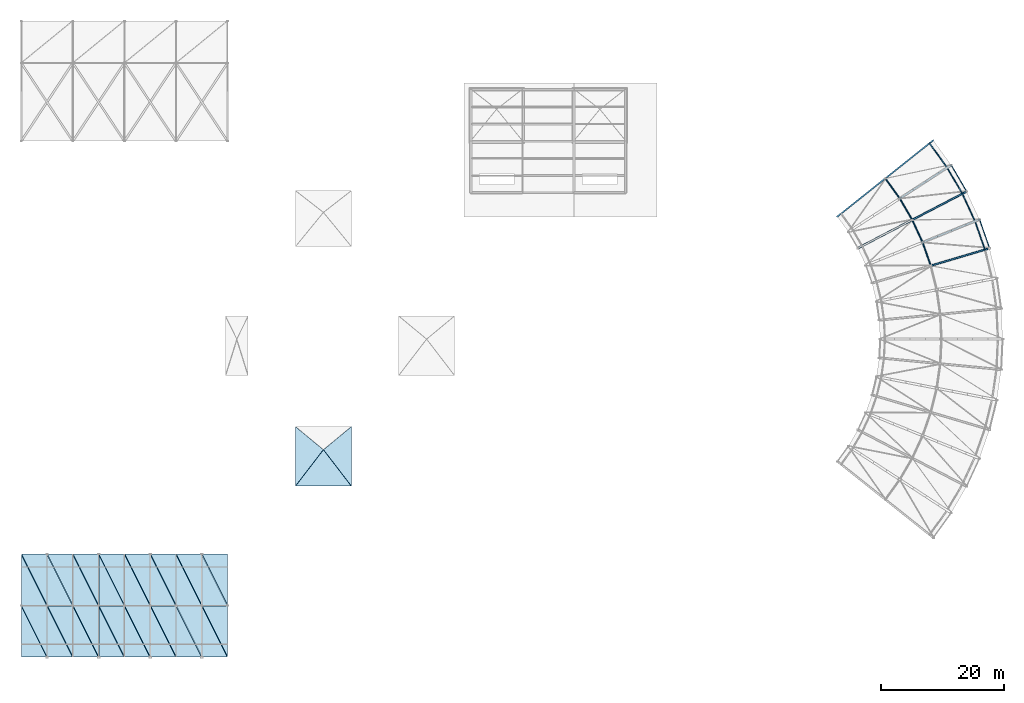
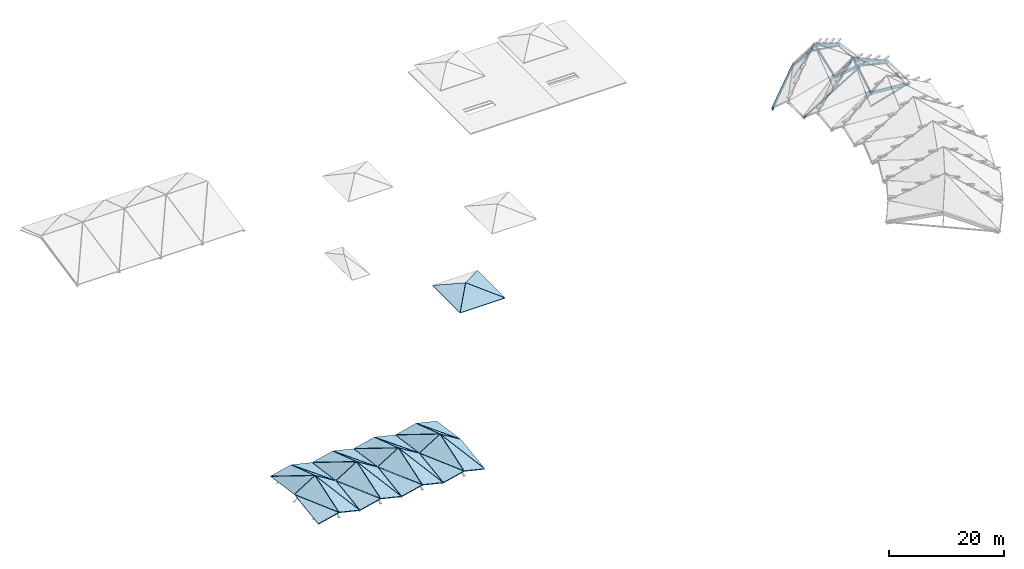
# One storey, part 4 of 10: 35 slabs, 17 members, 6 beams.
"""IFC4 building model written with IfcOpenShell, lengths in metres."""

from ifc_helpers import new_model, si_unit, direction, frame, origin, origin_2d, place, context, subcontext, project, spatial, polyline, hollow_circle, i_section, outline, extrude, material, layer, layer_set, material_profile, profile_set, type_object, element, save


model = new_model("IFC4")

# Units and contexts
model_context = context("Model", 3, precision=1e-05, world=origin(), true_north=direction((0.0, 1.0)))
body_context = subcontext(model_context, "Body", "Model", "MODEL_VIEW")
ifc_project = project(units=[si_unit("LENGTHUNIT", "METRE"), si_unit("AREAUNIT", "SQUARE_METRE"), si_unit("VOLUMEUNIT", "CUBIC_METRE"), si_unit("PLANEANGLEUNIT", "RADIAN"), si_unit("MASSUNIT", "GRAM", prefix="KILO")], contexts=[model_context])

# Site, building, storey
site_placement = place(None, origin())
site = spatial("IfcSite", under=ifc_project, at=site_placement, CompositionType="ELEMENT")
building_placement = place(site_placement, origin())
building = spatial("IfcBuilding", under=site, at=building_placement, Name="Vanh Quang Courtyard School", CompositionType="ELEMENT")
storey_placement = place(building_placement, frame((0.0, 0.0, 25.800048828125)))
storey = spatial("IfcBuildingStorey", under=building, at=storey_placement, Name="ROOF", CompositionType="ELEMENT", Elevation=25.800048828125)

# Beams
ifc_material_1 = material(Name="Structural steel EN 10025-2 S355J2", Category="steel")
ifc_material_profile_1 = material_profile(ifc_material_1, i_section(OverallWidth=0.199951171875, OverallDepth=0.5, WebThickness=0.01025390625, FlangeThickness=0.01611328125, FilletRadius=0.02099609375, at=origin_2d()), Name="IPE 500")
ifc_profile_set_1 = profile_set([ifc_material_profile_1], Name="Structural steel EN 10025-2 S355J2")
beam_type_1 = type_object("IfcBeamType", Name="BM-STL-IPE500", PredefinedType="BEAM", material=ifc_profile_set_1)
beam_1_placement = place(storey_placement, frame((150.941650390625, 71.7333984375, -7.679931640625), z_axis=(0.788012888057, 0.318375632059, -0.526946529704), x_axis=(-0.374604326638, 0.927184770401, 0.0)))
element("IfcBeam", 1, at=beam_1_placement, inside=storey, type_object=beam_type_1, Name="Beam SB-03 (ROOF)", PredefinedType="BEAM", context=body_context, shape_type="SweptSolid", body=[
    extrude(i_section(OverallWidth=0.199951171875, OverallDepth=0.5, WebThickness=0.01025390625, FlangeThickness=0.01611328125, FilletRadius=0.02099609375, at=origin_2d()), origin(), (0.0, 0.0, 1.0), 11.766357421875),
])
beam_2_placement = place(storey_placement, frame((147.22412109375, 78.874755859375, -7.679931640625), z_axis=(0.712778679061, 0.462895305984, -0.526948280549), x_axis=(-0.544648485695, 0.838664430526, 0.0)))
element("IfcBeam", 2, at=beam_2_placement, inside=storey, type_object=beam_type_1, Name="Beam SB-03 (ROOF)", PredefinedType="BEAM", context=body_context, shape_type="SweptSolid", body=[
    extrude(i_section(OverallWidth=0.199951171875, OverallDepth=0.5, WebThickness=0.01025390625, FlangeThickness=0.01611328125, FilletRadius=0.02099609375, at=origin_2d()), origin(), (0.0, 0.0, 1.0), 11.76611328125),
])
ifc_material_profile_2 = material_profile(ifc_material_1, i_section(OverallWidth=0.219970703125, OverallDepth=0.60009765625, WebThickness=0.011962890625, FlangeThickness=0.01904296875, FilletRadius=0.02392578125, at=origin_2d()), Name="IPE 600")
ifc_profile_set_2 = profile_set([ifc_material_profile_2], Name="Structural steel EN 10025-2 S355J2")
beam_type_2 = type_object("IfcBeamType", Name="BM-STL-IPE600", PredefinedType="BEAM", material=ifc_profile_set_2)
beam_3_placement = place(storey_placement, frame((152.2705078125, 67.9287109375, -13.080078125), z_axis=(0.918383375034, 0.272033045649, -0.287349958303), x_axis=(-0.284011022093, 0.958821015273, 0.0)))
element("IfcBeam", 3, at=beam_3_placement, inside=storey, type_object=beam_type_2, Name="Beam SB-01 (ROOF)", PredefinedType="BEAM", context=body_context, shape_type="SweptSolid", body=[
    extrude(i_section(OverallWidth=0.219970703125, OverallDepth=0.60009765625, WebThickness=0.011962890625, FlangeThickness=0.01904296875, FilletRadius=0.02392578125, at=origin_2d()), origin(), (0.0, 0.0, 1.0), 10.440185546875),
])
beam_4_placement = place(storey_placement, frame((149.25439453125, 75.393310546875, -13.080078125), z_axis=(0.849595701532, 0.442289251866, -0.287345369934), x_axis=(-0.461763171677, 0.887003254381, 0.0)))
element("IfcBeam", 4, at=beam_4_placement, inside=storey, type_object=beam_type_2, Name="Beam SB-01 (ROOF)", PredefinedType="BEAM", context=body_context, shape_type="SweptSolid", body=[
    extrude(i_section(OverallWidth=0.219970703125, OverallDepth=0.60009765625, WebThickness=0.011962890625, FlangeThickness=0.01904296875, FilletRadius=0.02392578125, at=origin_2d()), origin(), (0.0, 0.0, 1.0), 10.4404296875),
])
beam_5_placement = place(storey_placement, frame((137.04345703125, 75.92041015625, -16.080078125), z_axis=(0.749598293723, 0.596264460875, 0.287351858782), x_axis=(-0.622519147889, 0.78260456842, 0.0)))
element("IfcBeam", 5, at=beam_5_placement, inside=storey, type_object=beam_type_2, Name="Beam SB-01 (ROOF)", PredefinedType="BEAM", context=body_context, shape_type="SweptSolid", body=[
    extrude(i_section(OverallWidth=0.219970703125, OverallDepth=0.60009765625, WebThickness=0.011962890625, FlangeThickness=0.01904296875, FilletRadius=0.02392578125, at=origin_2d()), origin(), (0.0, 0.0, 1.0), 10.440185546875),
])
beam_6_placement = place(storey_placement, frame((144.869384765625, 82.1455078125, -13.080078125), z_axis=(0.749598086585, 0.596269079418, -0.287342815322), x_axis=(-0.622522206506, 0.782602135447, 0.0)))
element("IfcBeam", 6, at=beam_6_placement, inside=storey, type_object=beam_type_2, Name="Beam SB-01 (ROOF)", PredefinedType="BEAM", context=body_context, shape_type="SweptSolid", body=[
    extrude(i_section(OverallWidth=0.219970703125, OverallDepth=0.60009765625, WebThickness=0.011962890625, FlangeThickness=0.01904296875, FilletRadius=0.02392578125, at=origin_2d()), origin(), (0.0, 0.0, 1.0), 10.4404296875),
])

# Members
ifc_material_profile_3 = material_profile(ifc_material_1, hollow_circle(Radius=0.084228515625, WallThickness=0.008056640625, at=origin_2d()), Name="CHS 168.3x8")
ifc_profile_set_3 = profile_set([ifc_material_profile_3], Name="Structural steel EN 10025-2 S355J2")
member_type_1 = type_object("IfcMemberType", Name="MEM-BRC-CHS168", PredefinedType="BRACE", material=ifc_profile_set_3)
for number, where, z_axis, x_axis, name in (
    (7, (161.858642578125, 70.768798828125, -15.900146484375), (-0.305592610814, 0.875097866676, 0.375255752727), (-0.944090781635, -0.329685601796, 0.0), "Structural Member MB-02 (ROOF)"),
    (8, (158.12451171875, 80.010986328125, -15.900146484375), (-0.466956439327, 0.800710561025, 0.375252290112), (-0.86383745748, -0.503770629409, 0.0), "Structural Member MB-02 (ROOF)"),
):
    element("IfcMember", number, at=place(storey_placement, frame(where, z_axis=z_axis, x_axis=x_axis)), inside=storey, type_object=member_type_1, Name=name, PredefinedType="BRACE", context=body_context, shape_type="SweptSolid", body=[
        extrude(hollow_circle(Radius=0.084228515625, WallThickness=0.008056640625, at=origin_2d()), origin(), (0.0, 0.0, 1.0), 5.383056640625),
    ])
ifc_material_profile_4 = material_profile(ifc_material_1, hollow_circle(Radius=0.096923828125, WallThickness=0.010009765625, at=origin_2d()), Name="CHS 193.7x10")
ifc_profile_set_4 = profile_set([ifc_material_profile_4], Name="Structural steel EN 10025-2 S355J2")
member_type_2 = type_object("IfcMemberType", Name="MEM-BRC-CHS193", PredefinedType="BRACE", material=ifc_profile_set_4)
for number, where, z_axis, x_axis, name in (
    (9, (152.2705078125, 67.9287109375, -15.900146484375), (-0.145151507453, 0.41558719312, 0.897896611419), (-0.944073490245, -0.329735113411, 0.0), "Structural Member MB-01 (ROOF)"),
    (10, (149.25439453125, 75.393310546875, -15.900146484375), (0.184299171893, -0.399772664714, 0.897895111796), (0.908141922232, 0.418662452441, 0.0), "Structural Member MB-01 (ROOF)"),
    (11, (149.25439453125, 75.393310546875, -15.900146484375), (-0.221766122328, 0.38027716503, 0.897891454879), (-0.863840413954, -0.503765559779, 0.0), "Structural Member MB-01 (ROOF)"),
    (12, (144.869384765625, 82.1455078125, -15.900146484375), (0.25720690156, -0.357262919668, 0.897890759514), (0.811558469677, 0.584271212961, 0.0), "Structural Member MB-01 (ROOF)"),
):
    element("IfcMember", number, at=place(storey_placement, frame(where, z_axis=z_axis, x_axis=x_axis)), inside=storey, type_object=member_type_2, Name=name, PredefinedType="BRACE", context=body_context, shape_type="SweptSolid", body=[
        extrude(hollow_circle(Radius=0.096923828125, WallThickness=0.010009765625, at=origin_2d()), origin(), (0.0, 0.0, 1.0), 9.155029296875),
    ])
ifc_material_profile_5 = material_profile(ifc_material_1, hollow_circle(Radius=0.136474609375, WallThickness=0.012451171875, at=origin_2d()), Name="CHS 273x12.5")
ifc_profile_set_5 = profile_set([ifc_material_profile_5], Name="Structural steel EN 10025-2 S355J2")
member_type_3 = type_object("IfcMemberType", Name="MEM-CHD-CHS273", PredefinedType="CHORD", material=ifc_profile_set_5)
for number, where, z_axis, x_axis, name in (
    (13, (152.2705078125, 67.9287109375, -13.080078125), (-0.197213061878, 0.564646032758, 0.801424897239), (-0.944073490245, -0.329735113411, 0.0), "Structural Member MC-02 (ROOF)"),
    (14, (150.941650390625, 71.7333984375, -7.679931640625), (-0.250401482381, 0.543158533118, -0.801422426391), (-0.908141922232, -0.418662452441, 0.0), "Structural Member MC-02 (ROOF)"),
    (15, (149.25439453125, 75.393310546875, -13.080078125), (-0.301305610191, 0.516668831327, 0.801416401131), (-0.863840413954, -0.503765559779, 0.0), "Structural Member MC-02 (ROOF)"),
    (16, (147.22412109375, 78.874755859375, -7.679931640625), (-0.349457486263, 0.485399890457, -0.801415255432), (-0.811558469677, -0.584271212961, 0.0), "Structural Member MC-02 (ROOF)"),
):
    element("IfcMember", number, at=place(storey_placement, frame(where, z_axis=z_axis, x_axis=x_axis)), inside=storey, type_object=member_type_3, Name=name, PredefinedType="CHORD", context=body_context, shape_type="SweptSolid", body=[
        extrude(hollow_circle(Radius=0.136474609375, WallThickness=0.012451171875, at=origin_2d()), origin(), (0.0, 0.0, 1.0), 6.73828125),
    ])
ifc_material_profile_6 = material_profile(ifc_material_1, hollow_circle(Radius=0.161865234375, WallThickness=0.012451171875, at=origin_2d()), Name="CHS 323.9x12.5")
ifc_profile_set_6 = profile_set([ifc_material_profile_6], Name="Structural steel EN 10025-2 S355J2")
member_type_4 = type_object("IfcMemberType", Name="MEM-CHD-CHS323", PredefinedType="CHORD", material=ifc_profile_set_6)
for number, where, z_axis, x_axis, name in (
    (17, (152.2705078125, 67.9287109375, -15.900146484375), (0.958821015273, 0.284011022093, 0.0), (-0.284011022093, 0.958821015273, 0.0), "Structural Member MC-01 (ROOF)"),
    (18, (140.38427734375, 70.77587890625, -15.900146484375), (0.887013253835, 0.461743963167, 0.0), (-0.461743963167, 0.887013253835, 0.0), "Structural Member MC-01 (ROOF)"),
    (19, (149.25439453125, 75.393310546875, -15.900146484375), (0.887003254381, 0.461763171677, 0.0), (-0.461763171677, 0.887003254381, 0.0), "Structural Member MC-01 (ROOF)"),
):
    element("IfcMember", number, at=place(storey_placement, frame(where, z_axis=z_axis, x_axis=x_axis)), inside=storey, type_object=member_type_4, Name=name, PredefinedType="CHORD", context=body_context, shape_type="SweptSolid", body=[
        extrude(hollow_circle(Radius=0.161865234375, WallThickness=0.012451171875, at=origin_2d()), origin(), (0.0, 0.0, 1.0), 10.0),
    ])
ifc_material_profile_7 = material_profile(ifc_material_1, i_section(OverallWidth=0.135009765625, OverallDepth=0.27001953125, WebThickness=0.006591796875, FlangeThickness=0.01025390625, FilletRadius=0.014892578125, at=origin_2d()), Name="IPE 270")
ifc_profile_set_7 = profile_set([ifc_material_profile_7], Name="Structural steel EN 10025-2 S355J2")
member_type_5 = type_object("IfcMemberType", Name="MEM-PRL-IPE270", PredefinedType="PURLIN", material=ifc_profile_set_7)
for number, where, z_axis, x_axis, name in (
    (20, (161.091552734375, 70.54150390625, -16.080078125), (-0.294436344713, 0.843059785509, 0.45006381433), (-0.944079717915, -0.32971728226, 0.0), "Structural Member MP-02 (ROOF)"),
    (21, (159.4716796875, 75.1796875, -13.60400390625), (-0.373814864145, 0.81099720526, -0.450051086438), (-0.908168704182, -0.418604353471, 0.0), "Structural Member MP-02 (ROOF)"),
    (22, (157.4150390625, 79.6416015625, -16.080078125), (-0.449886086118, 0.771391776977, 0.450063590985), (-0.863823956414, -0.503793779562, 0.0), "Structural Member MP-02 (ROOF)"),
    (23, (154.93994140625, 83.885498046875, -13.60400390625), (-0.521724225665, 0.724742711029, -0.450057590941), (-0.811582408218, -0.584237960655, 0.0), "Structural Member MP-02 (ROOF)"),
):
    element("IfcMember", number, at=place(storey_placement, frame(where, z_axis=z_axis, x_axis=x_axis)), inside=storey, type_object=member_type_5, Name=name, PredefinedType="PURLIN", context=body_context, shape_type="SweptSolid", body=[
        extrude(i_section(OverallWidth=0.135009765625, OverallDepth=0.27001953125, WebThickness=0.006591796875, FlangeThickness=0.01025390625, FilletRadius=0.014892578125, at=origin_2d()), origin(), (0.0, 0.0, 1.0), 5.501708984375),
    ])

# Slabs
ifc_material_2 = material(Name="Precast concrete C40/50", Category="concrete")
ifc_layer_1 = layer(ifc_material_2, 0.18994140625)
ifc_layer_set_1 = layer_set([ifc_layer_1], Name="Precast concrete C40/50")
slab_type_1 = type_object("IfcSlabType", Name="SLB-FPR-190", PredefinedType="ROOF", material=ifc_layer_set_1)
slab_1_placement = place(storey_placement, frame((8.368896484375, 4.327880859375, -13.376708984375), z_axis=(-0.50639608297, -0.272683517498, 0.818050552495), x_axis=(-0.447101456413, 0.89422941558, 0.021308214046)))
element("IfcSlab", 24, at=slab_1_placement, inside=storey, type_object=slab_type_1, Name="Slab SR-04 (ROOF)", PredefinedType="ROOF", context=body_context, shape_type="SweptSolid", body=[
    extrude(outline(polyline([(0.0, 0.0), (9.211896505089388, -1.3877787807814457e-17), (7.42476762559656, -4.502191297461897), (0.0, 0.0)])), origin(), (0.0, 0.0, -1.0), 0.18994140625),
])
slab_2_placement = place(storey_placement, frame((8.364990234375, 12.75048828125, -10.65869140625), z_axis=(-0.22033006245, 0.308440087423, 0.925375262286), x_axis=(-0.414565782487, 0.829131564974, -0.37506807376)))
element("IfcSlab", 25, at=slab_2_placement, inside=storey, type_object=slab_type_1, Name="Slab SR-04 (ROOF)", PredefinedType="ROOF", context=body_context, shape_type="SweptSolid", body=[
    extrude(outline(polyline([(0.0, 0.0), (9.908357585573047, 5.551115123125783e-17), (7.838632977704533, -3.680448020095757), (0.0, 0.0)])), origin(), (0.0, 0.0, -1.0), 0.18994140625),
])
slab_3_placement = place(storey_placement, frame((12.5693359375, 4.334716796875, -14.36181640625), z_axis=(0.522497611072, -0.120595633802, 0.844069274131), x_axis=(-0.414562864329, 0.829125728659, 0.375084200674)))
element("IfcSlab", 26, at=slab_3_placement, inside=storey, type_object=slab_type_1, Name="Slab SR-04 (ROOF)", PredefinedType="ROOF", context=body_context, shape_type="SweptSolid", body=[
    extrude(outline(polyline([(0.0, 0.0), (9.925505750271379, 2.220446049250313e-16), (7.264300676775762, -4.041897931587377), (0.0, 0.0)])), origin(), (0.0, 0.0, -1.0), 0.18994140625),
])
slab_4_placement = place(storey_placement, frame((12.56494140625, 12.747802734375, -13.212890625), z_axis=(0.229433686215, 0.137652850079, 0.963541320595), x_axis=(-0.447122928518, 0.89421928686, -0.021282711299)))
element("IfcSlab", 27, at=slab_4_placement, inside=storey, type_object=slab_type_1, Name="Slab SR-04 (ROOF)", PredefinedType="ROOF", context=body_context, shape_type="SweptSolid", body=[
    extrude(outline(polyline([(0.0, 0.0), (9.188521043003073, -1.734723475976807e-16), (7.372382171682076, -3.812819484118099), (0.0, 0.0)])), origin(), (0.0, 0.0, -1.0), 0.18994140625),
])
slab_5_placement = place(storey_placement, frame((16.76904296875, 4.327880859375, -13.376708984375), z_axis=(-0.50639608297, -0.272683517498, 0.818050552495), x_axis=(-0.447101456413, 0.89422941558, 0.021308214046)))
element("IfcSlab", 28, at=slab_5_placement, inside=storey, type_object=slab_type_1, Name="Slab SR-04 (ROOF)", PredefinedType="ROOF", context=body_context, shape_type="SweptSolid", body=[
    extrude(outline(polyline([(0.0, 0.0), (9.211896505089388, -1.3877787807814457e-17), (7.42476762559656, -4.502191297461897), (0.0, 0.0)])), origin(), (0.0, 0.0, -1.0), 0.18994140625),
])
slab_6_placement = place(storey_placement, frame((16.764892578125, 12.75048828125, -10.65869140625), z_axis=(-0.22033006245, 0.308440087423, 0.925375262286), x_axis=(-0.414565782487, 0.829131564974, -0.37506807376)))
element("IfcSlab", 29, at=slab_6_placement, inside=storey, type_object=slab_type_1, Name="Slab SR-04 (ROOF)", PredefinedType="ROOF", context=body_context, shape_type="SweptSolid", body=[
    extrude(outline(polyline([(0.0, 0.0), (9.908357585573047, 5.551115123125783e-17), (7.838632977704533, -3.680448020095757), (0.0, 0.0)])), origin(), (0.0, 0.0, -1.0), 0.18994140625),
])
slab_7_placement = place(storey_placement, frame((20.96923828125, 4.334716796875, -14.36181640625), z_axis=(0.522497611072, -0.120595633802, 0.844069274131), x_axis=(-0.414562864329, 0.829125728659, 0.375084200674)))
element("IfcSlab", 30, at=slab_7_placement, inside=storey, type_object=slab_type_1, Name="Slab SR-04 (ROOF)", PredefinedType="ROOF", context=body_context, shape_type="SweptSolid", body=[
    extrude(outline(polyline([(0.0, 0.0), (9.925505750271379, 2.220446049250313e-16), (7.264300676775762, -4.041897931587377), (0.0, 0.0)])), origin(), (0.0, 0.0, -1.0), 0.18994140625),
])
slab_8_placement = place(storey_placement, frame((20.965087890625, 12.747802734375, -13.212890625), z_axis=(0.229433686215, 0.137652850079, 0.963541320595), x_axis=(-0.447122928518, 0.89421928686, -0.021282711299)))
element("IfcSlab", 31, at=slab_8_placement, inside=storey, type_object=slab_type_1, Name="Slab SR-04 (ROOF)", PredefinedType="ROOF", context=body_context, shape_type="SweptSolid", body=[
    extrude(outline(polyline([(0.0, 0.0), (9.188521043003073, -1.734723475976807e-16), (7.372382171682076, -3.812819484118099), (0.0, 0.0)])), origin(), (0.0, 0.0, -1.0), 0.18994140625),
])
slab_9_placement = place(storey_placement, frame((25.1689453125, 4.327880859375, -13.376708984375), z_axis=(-0.50639608297, -0.272683517498, 0.818050552495), x_axis=(-0.447101456413, 0.89422941558, 0.021308214046)))
element("IfcSlab", 32, at=slab_9_placement, inside=storey, type_object=slab_type_1, Name="Slab SR-04 (ROOF)", PredefinedType="ROOF", context=body_context, shape_type="SweptSolid", body=[
    extrude(outline(polyline([(0.0, 0.0), (9.211896505089388, -1.3877787807814457e-17), (7.42476762559656, -4.502191297461897), (0.0, 0.0)])), origin(), (0.0, 0.0, -1.0), 0.18994140625),
])
slab_10_placement = place(storey_placement, frame((25.164794921875, 12.75048828125, -10.65869140625), z_axis=(-0.220342522813, 0.308439197403, 0.925372592065), x_axis=(-0.414545377032, 0.829140034304, -0.375071904968)))
element("IfcSlab", 33, at=slab_10_placement, inside=storey, type_object=slab_type_1, Name="Slab SR-04 (ROOF)", PredefinedType="ROOF", context=body_context, shape_type="SweptSolid", body=[
    extrude(outline(polyline([(0.0, 0.0), (9.908256375714693, 6.38378239159465e-16), (7.838713046982443, -3.6802774834040757), (0.0, 0.0)])), origin(), (0.0, 0.0, -1.0), 0.18994140625),
])
slab_11_placement = place(storey_placement, frame((29.369384765625, 4.334716796875, -14.36181640625), z_axis=(0.52247507396, -0.120597587103, 0.844082945614), x_axis=(-0.414583233966, 0.829117273837, 0.375080375838)))
element("IfcSlab", 34, at=slab_11_placement, inside=storey, type_object=slab_type_1, Name="Slab SR-04 (ROOF)", PredefinedType="ROOF", context=body_context, shape_type="SweptSolid", body=[
    extrude(outline(polyline([(0.0, 0.0), (9.925606964394717, 6.661338147750939e-16), (7.264226600719021, -4.042031061902081), (0.0, 0.0)])), origin(), (0.0, 0.0, -1.0), 0.18994140625),
])
slab_12_placement = place(storey_placement, frame((29.364990234375, 12.747802734375, -13.212890625), z_axis=(0.229433686215, 0.137652850079, 0.963541320595), x_axis=(-0.447122928518, 0.89421928686, -0.021282711299)))
element("IfcSlab", 35, at=slab_12_placement, inside=storey, type_object=slab_type_1, Name="Slab SR-04 (ROOF)", PredefinedType="ROOF", context=body_context, shape_type="SweptSolid", body=[
    extrude(outline(polyline([(0.0, 0.0), (9.188521043003073, -1.734723475976807e-16), (7.372382171682076, -3.812819484118099), (0.0, 0.0)])), origin(), (0.0, 0.0, -1.0), 0.18994140625),
])
slab_13_placement = place(storey_placement, frame((33.569091796875, 4.327880859375, -13.376708984375), z_axis=(-0.506373763844, -0.272687662224, 0.818062986671), x_axis=(-0.447122660897, 0.894218819354, 0.021307961553)))
element("IfcSlab", 36, at=slab_13_placement, inside=storey, type_object=slab_type_1, Name="Slab SR-04 (ROOF)", PredefinedType="ROOF", context=body_context, shape_type="SweptSolid", body=[
    extrude(outline(polyline([(0.0, 0.0), (9.212005663306845, 5.551115123125783e-17), (7.424679645364166, -4.50233638645131), (0.0, 0.0)])), origin(), (0.0, 0.0, -1.0), 0.18994140625),
])
slab_14_placement = place(storey_placement, frame((33.56494140625, 12.75048828125, -10.65869140625), z_axis=(-0.22033006245, 0.308440087423, 0.925375262286), x_axis=(-0.414565782487, 0.829131564974, -0.37506807376)))
element("IfcSlab", 37, at=slab_14_placement, inside=storey, type_object=slab_type_1, Name="Slab SR-04 (ROOF)", PredefinedType="ROOF", context=body_context, shape_type="SweptSolid", body=[
    extrude(outline(polyline([(0.0, 0.0), (9.908357585573047, 5.551115123125783e-17), (7.838632977704533, -3.680448020095757), (0.0, 0.0)])), origin(), (0.0, 0.0, -1.0), 0.18994140625),
])
slab_15_placement = place(storey_placement, frame((37.769287109375, 4.334716796875, -14.36181640625), z_axis=(0.522497611072, -0.120595633802, 0.844069274131), x_axis=(-0.414562864329, 0.829125728659, 0.375084200674)))
element("IfcSlab", 38, at=slab_15_placement, inside=storey, type_object=slab_type_1, Name="Slab SR-04 (ROOF)", PredefinedType="ROOF", context=body_context, shape_type="SweptSolid", body=[
    extrude(outline(polyline([(0.0, 0.0), (9.925505750271379, 2.220446049250313e-16), (7.264300676775762, -4.041897931587377), (0.0, 0.0)])), origin(), (0.0, 0.0, -1.0), 0.18994140625),
])
slab_16_placement = place(storey_placement, frame((37.764892578125, 12.747802734375, -13.212890625), z_axis=(0.229433686215, 0.137652850079, 0.963541320595), x_axis=(-0.447122928518, 0.89421928686, -0.021282711299)))
element("IfcSlab", 39, at=slab_16_placement, inside=storey, type_object=slab_type_1, Name="Slab SR-04 (ROOF)", PredefinedType="ROOF", context=body_context, shape_type="SweptSolid", body=[
    extrude(outline(polyline([(0.0, 0.0), (9.188521043003073, -1.734723475976807e-16), (7.372382171682076, -3.812819484118099), (0.0, 0.0)])), origin(), (0.0, 0.0, -1.0), 0.18994140625),
])
ifc_layer_2 = layer(ifc_material_2, 0.199951171875)
ifc_layer_set_2 = layer_set([ifc_layer_2], Name="Precast concrete C40/50")
slab_type_2 = type_object("IfcSlabType", Name="SLB-FPR-200", PredefinedType="ROOF", material=ifc_layer_set_2)
slab_17_placement = place(storey_placement, frame((4.235107421875, 4.235595703125, -14.38671875), z_axis=(-0.229433815384, -0.13764883758, 0.963541863061), x_axis=(0.0, 0.989949493661, 0.141421356237)))
element("IfcSlab", 40, at=slab_17_placement, inside=storey, type_object=slab_type_2, Name="Slab SR-03 (ROOF)", PredefinedType="ROOF", context=body_context, shape_type="SweptSolid", body=[
    extrude(outline(polyline([(0.0, 0.0), (8.300218271349904, -5.551115123125783e-17), (0.13834848008859843, -4.22099662597009), (0.0, 0.0)])), origin(), (0.0, 0.0, -1.0), 0.199951171875),
])
slab_18_placement = place(storey_placement, frame((4.230712890625, 12.6357421875, -13.18603515625), z_axis=(-0.522497611072, 0.120595633802, 0.844069274131), x_axis=(0.0, 0.989947144059, -0.141437802474)))
element("IfcSlab", 41, at=slab_18_placement, inside=storey, type_object=slab_type_2, Name="Slab SR-03 (ROOF)", PredefinedType="ROOF", context=body_context, shape_type="SweptSolid", body=[
    extrude(outline(polyline([(0.0, 0.0), (8.313062204264751, -2.220446049250313e-16), (-0.36025893388919616, -4.825884875659815), (0.0, 0.0)])), origin(), (0.0, 0.0, -1.0), 0.199951171875),
])
slab_19_placement = place(storey_placement, frame((8.43505859375, 4.234130859375, -13.39697265625), z_axis=(0.22033006245, -0.308440087423, 0.925375262286), x_axis=(0.0, 0.948688936467, 0.316210850265)))
element("IfcSlab", 42, at=slab_19_placement, inside=storey, type_object=slab_type_2, Name="Slab SR-03 (ROOF)", PredefinedType="ROOF", context=body_context, shape_type="SweptSolid", body=[
    extrude(outline(polyline([(0.0, 0.0), (8.659668849776175, 2.220446049250313e-16), (-0.3092628579494873, -4.211153531484712), (0.0, 0.0)])), origin(), (0.0, 0.0, -1.0), 0.199951171875),
])
slab_20_placement = place(storey_placement, frame((8.430908203125, 12.634521484375, -10.630859375), z_axis=(0.506373763844, 0.272687662224, 0.818062986671), x_axis=(0.0, 0.948683298051, -0.316227766017)))
element("IfcSlab", 43, at=slab_20_placement, inside=storey, type_object=slab_type_2, Name="Slab SR-03 (ROOF)", PredefinedType="ROOF", context=body_context, shape_type="SweptSolid", body=[
    extrude(outline(polyline([(0.0, 0.0), (8.683138877908634, -2.220446049250313e-16), (0.8062418360629489, -4.776561664310441), (0.0, 0.0)])), origin(), (0.0, 0.0, -1.0), 0.199951171875),
])
slab_21_placement = place(storey_placement, frame((12.635009765625, 4.235595703125, -14.38671875), z_axis=(-0.229433815384, -0.13764883758, 0.963541863061), x_axis=(0.0, 0.989949493661, 0.141421356237)))
element("IfcSlab", 44, at=slab_21_placement, inside=storey, type_object=slab_type_2, Name="Slab SR-03 (ROOF)", PredefinedType="ROOF", context=body_context, shape_type="SweptSolid", body=[
    extrude(outline(polyline([(0.0, 0.0), (8.300218271349904, -5.551115123125783e-17), (0.13834848008859843, -4.22099662597009), (0.0, 0.0)])), origin(), (0.0, 0.0, -1.0), 0.199951171875),
])
slab_22_placement = place(storey_placement, frame((12.630615234375, 12.6357421875, -13.18603515625), z_axis=(-0.52247507396, 0.120597587103, 0.844082945614), x_axis=(0.0, 0.989947144059, -0.141437802474)))
element("IfcSlab", 45, at=slab_22_placement, inside=storey, type_object=slab_type_2, Name="Slab SR-03 (ROOF)", PredefinedType="ROOF", context=body_context, shape_type="SweptSolid", body=[
    extrude(outline(polyline([(0.0, 0.0), (8.313062204264751, 0.0), (-0.36025893388919616, -4.826093041590981), (0.0, 0.0)])), origin(), (0.0, 0.0, -1.0), 0.199951171875),
])
slab_23_placement = place(storey_placement, frame((16.835205078125, 4.234130859375, -13.39697265625), z_axis=(0.220342522813, -0.308439197403, 0.925372592065), x_axis=(0.0, 0.948688936467, 0.316210850265)))
element("IfcSlab", 46, at=slab_23_placement, inside=storey, type_object=slab_type_2, Name="Slab SR-03 (ROOF)", PredefinedType="ROOF", context=body_context, shape_type="SweptSolid", body=[
    extrude(outline(polyline([(0.0, 0.0), (8.659668849776175, 1.1102230246251565e-16), (-0.3092628579494873, -4.210915390867419), (0.0, 0.0)])), origin(), (0.0, 0.0, -1.0), 0.199951171875),
])
slab_24_placement = place(storey_placement, frame((16.8310546875, 12.634521484375, -10.630859375), z_axis=(0.50639608297, 0.272683517498, 0.818050552495), x_axis=(0.0, 0.948683298051, -0.316227766017)))
element("IfcSlab", 47, at=slab_24_placement, inside=storey, type_object=slab_type_2, Name="Slab SR-03 (ROOF)", PredefinedType="ROOF", context=body_context, shape_type="SweptSolid", body=[
    extrude(outline(polyline([(0.0, 0.0), (8.683138877908634, 0.0), (0.8062418360629489, -4.776351140006435), (0.0, 0.0)])), origin(), (0.0, 0.0, -1.0), 0.199951171875),
])
slab_25_placement = place(storey_placement, frame((21.034912109375, 4.235595703125, -14.38671875), z_axis=(-0.229433815384, -0.13764883758, 0.963541863061), x_axis=(0.0, 0.989949493661, 0.141421356237)))
element("IfcSlab", 48, at=slab_25_placement, inside=storey, type_object=slab_type_2, Name="Slab SR-03 (ROOF)", PredefinedType="ROOF", context=body_context, shape_type="SweptSolid", body=[
    extrude(outline(polyline([(0.0, 0.0), (8.300218271349904, -5.551115123125783e-17), (0.13834848008859843, -4.22099662597009), (0.0, 0.0)])), origin(), (0.0, 0.0, -1.0), 0.199951171875),
])
slab_26_placement = place(storey_placement, frame((21.03076171875, 12.6357421875, -13.18603515625), z_axis=(-0.522497611072, 0.120595633802, 0.844069274131), x_axis=(0.0, 0.989947144059, -0.141437802474)))
element("IfcSlab", 49, at=slab_26_placement, inside=storey, type_object=slab_type_2, Name="Slab SR-03 (ROOF)", PredefinedType="ROOF", context=body_context, shape_type="SweptSolid", body=[
    extrude(outline(polyline([(0.0, 0.0), (8.313062204264751, -2.220446049250313e-16), (-0.36025893388919616, -4.825884875659815), (0.0, 0.0)])), origin(), (0.0, 0.0, -1.0), 0.199951171875),
])
slab_27_placement = place(storey_placement, frame((25.235107421875, 4.234130859375, -13.39697265625), z_axis=(0.22033006245, -0.308440087423, 0.925375262286), x_axis=(0.0, 0.948688936467, 0.316210850265)))
element("IfcSlab", 50, at=slab_27_placement, inside=storey, type_object=slab_type_2, Name="Slab SR-03 (ROOF)", PredefinedType="ROOF", context=body_context, shape_type="SweptSolid", body=[
    extrude(outline(polyline([(0.0, 0.0), (8.659668849776175, 2.220446049250313e-16), (-0.3092628579494873, -4.211153531484712), (0.0, 0.0)])), origin(), (0.0, 0.0, -1.0), 0.199951171875),
])
slab_28_placement = place(storey_placement, frame((25.23095703125, 12.634521484375, -10.630859375), z_axis=(0.50639608297, 0.272683517498, 0.818050552495), x_axis=(0.0, 0.948683298051, -0.316227766017)))
element("IfcSlab", 51, at=slab_28_placement, inside=storey, type_object=slab_type_2, Name="Slab SR-03 (ROOF)", PredefinedType="ROOF", context=body_context, shape_type="SweptSolid", body=[
    extrude(outline(polyline([(0.0, 0.0), (8.683138877908634, 0.0), (0.8062418360629489, -4.776351140006435), (0.0, 0.0)])), origin(), (0.0, 0.0, -1.0), 0.199951171875),
])
slab_29_placement = place(storey_placement, frame((29.43505859375, 4.235595703125, -14.38671875), z_axis=(-0.229433815384, -0.13764883758, 0.963541863061), x_axis=(0.0, 0.989949493661, 0.141421356237)))
element("IfcSlab", 52, at=slab_29_placement, inside=storey, type_object=slab_type_2, Name="Slab SR-03 (ROOF)", PredefinedType="ROOF", context=body_context, shape_type="SweptSolid", body=[
    extrude(outline(polyline([(0.0, 0.0), (8.300218271349904, -5.551115123125783e-17), (0.13834848008859843, -4.22099662597009), (0.0, 0.0)])), origin(), (0.0, 0.0, -1.0), 0.199951171875),
])
slab_30_placement = place(storey_placement, frame((29.4306640625, 12.6357421875, -13.18603515625), z_axis=(-0.522497611072, 0.120595633802, 0.844069274131), x_axis=(0.0, 0.989947144059, -0.141437802474)))
element("IfcSlab", 53, at=slab_30_placement, inside=storey, type_object=slab_type_2, Name="Slab SR-03 (ROOF)", PredefinedType="ROOF", context=body_context, shape_type="SweptSolid", body=[
    extrude(outline(polyline([(0.0, 0.0), (8.313062204264751, -2.220446049250313e-16), (-0.36025893388919616, -4.825884875659815), (0.0, 0.0)])), origin(), (0.0, 0.0, -1.0), 0.199951171875),
])
slab_31_placement = place(storey_placement, frame((33.635009765625, 4.234130859375, -13.39697265625), z_axis=(0.22033006245, -0.308440087423, 0.925375262286), x_axis=(0.0, 0.948688936467, 0.316210850265)))
element("IfcSlab", 54, at=slab_31_placement, inside=storey, type_object=slab_type_2, Name="Slab SR-03 (ROOF)", PredefinedType="ROOF", context=body_context, shape_type="SweptSolid", body=[
    extrude(outline(polyline([(0.0, 0.0), (8.659668849776175, 2.220446049250313e-16), (-0.3092628579494873, -4.211153531484712), (0.0, 0.0)])), origin(), (0.0, 0.0, -1.0), 0.199951171875),
])
slab_32_placement = place(storey_placement, frame((33.631103515625, 12.634521484375, -10.630859375), z_axis=(0.50639608297, 0.272683517498, 0.818050552495), x_axis=(0.0, 0.948683298051, -0.316227766017)))
element("IfcSlab", 55, at=slab_32_placement, inside=storey, type_object=slab_type_2, Name="Slab SR-03 (ROOF)", PredefinedType="ROOF", context=body_context, shape_type="SweptSolid", body=[
    extrude(outline(polyline([(0.0, 0.0), (8.683138877908634, 0.0), (0.8062418360629489, -4.776351140006435), (0.0, 0.0)])), origin(), (0.0, 0.0, -1.0), 0.199951171875),
])
ifc_material_3 = material(Name="Concrete C35/45", Category="concrete")
ifc_layer_3 = layer(ifc_material_3, 0.114990234375)
ifc_layer_set_3 = layer_set([ifc_layer_3], Name="Concrete C35/45")
slab_type_3 = type_object("IfcSlabType", Name="SLB-MON-180", PredefinedType="ROOF", material=ifc_layer_set_3)
slab_33_placement = place(storey_placement, frame((48.8740234375, 32.061767578125, -1.947509765625), z_axis=(0.0, -0.206261525244, 0.978496899946), x_axis=(1.0, 0.0, 0.0)))
element("IfcSlab", 56, at=slab_33_placement, inside=storey, type_object=slab_type_3, Name="Slab SR-02 (ROOF)", PredefinedType="ROOF", context=body_context, shape_type="SweptSolid", body=[
    extrude(outline(polyline([(0.0, 0.0), (9.052001953125, 0.0), (4.52587890625, 6.028308971597672), (0.0, 0.0)])), origin(), (0.0, 0.0, -1.0), 0.114990234375),
])
slab_34_placement = place(storey_placement, frame((57.9384765625, 32.08447265625, -1.94677734375), z_axis=(0.264874550204, 0.0, 0.964282879997), x_axis=(0.0, 1.0, 0.0)))
element("IfcSlab", 57, at=slab_34_placement, inside=storey, type_object=slab_type_3, Name="Slab SR-02 (ROOF)", PredefinedType="ROOF", context=body_context, shape_type="SweptSolid", body=[
    extrude(outline(polyline([(0.0, 0.0), (9.640625, 0.0), (5.8935546875, 4.689720092190432), (0.0, 0.0)])), origin(), (0.0, 0.0, -1.0), 0.114990234375),
])
slab_35_placement = place(storey_placement, frame((48.861572265625, 41.72509765625, -1.94677734375), z_axis=(-0.264874550204, 0.0, 0.964282879997), x_axis=(0.0, -1.0, 0.0)))
element("IfcSlab", 58, at=slab_35_placement, inside=storey, type_object=slab_type_3, Name="Slab SR-02 (ROOF)", PredefinedType="ROOF", context=body_context, shape_type="SweptSolid", body=[
    extrude(outline(polyline([(0.0, 0.0), (9.640625, 0.0), (3.7470703125, 4.689720092190432), (0.0, 0.0)])), origin(), (0.0, 0.0, -1.0), 0.114990234375),
])

save(model, "model.ifc")
